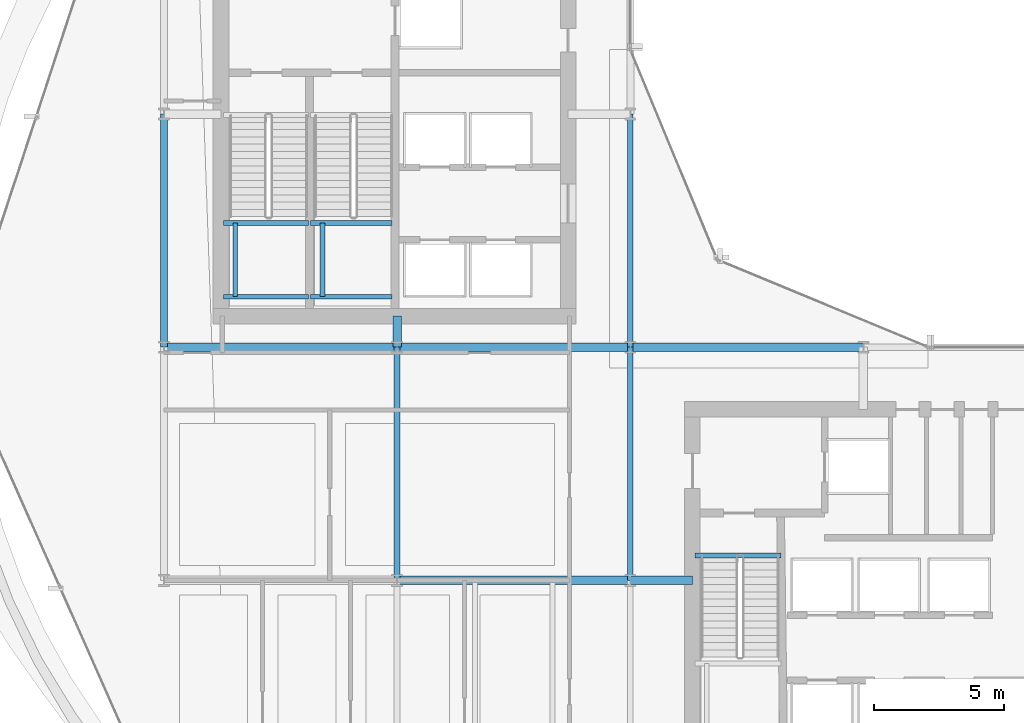
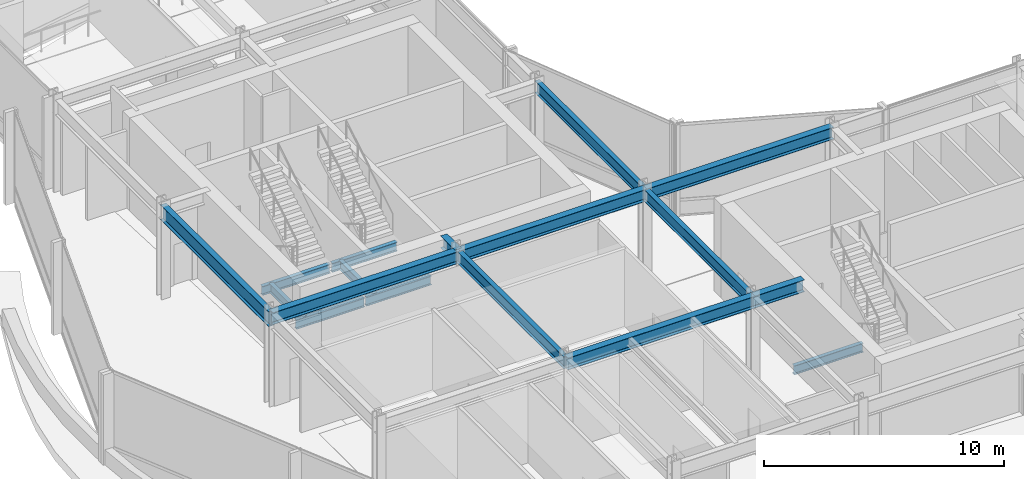
# One storey, part 8 of 33: 17 beams.
"""IFC4 building model written with IfcOpenShell, lengths in metres."""

from ifc_helpers import new_model, si_unit, direction, frame, origin, origin_2d, place, context, subcontext, project, spatial, i_section, extrude, material, material_profile, profile_set, type_object, element, save


model = new_model("IFC4")

# Units and contexts
model_context = context("Model", 3, precision=1e-05, world=origin(), true_north=direction((0.0, 1.0)))
body_context = subcontext(model_context, "Body", "Model", "MODEL_VIEW")
ifc_project = project(units=[si_unit("LENGTHUNIT", "METRE"), si_unit("AREAUNIT", "SQUARE_METRE"), si_unit("VOLUMEUNIT", "CUBIC_METRE"), si_unit("PLANEANGLEUNIT", "RADIAN"), si_unit("MASSUNIT", "GRAM", prefix="KILO")], contexts=[model_context])

# Site, building, storey
site_placement = place(None, origin())
site = spatial("IfcSite", under=ifc_project, at=site_placement, CompositionType="ELEMENT")
building_placement = place(site_placement, origin())
building = spatial("IfcBuilding", under=site, at=building_placement, Name="Solvaryn Broadcast Tower", CompositionType="ELEMENT")
storey_placement = place(building_placement, frame((0.0, 0.0, 105.0)))
storey = spatial("IfcBuildingStorey", under=building, at=storey_placement, Name="L25", CompositionType="ELEMENT", Elevation=105.0)

# Beams
ifc_material_1 = material(Name="Steel ASTM A992 Grade 50", Category="steel")
ifc_material_profile_1 = material_profile(ifc_material_1, i_section(OverallWidth=0.323974609375, OverallDepth=0.611083984375, WebThickness=0.0126953125, FlangeThickness=0.01904296875, FilletRadius=0.014892578125, at=origin_2d()))
ifc_profile_set_1 = profile_set([ifc_material_profile_1], Name="Steel ASTM A992 Grade 50")
beam_type_1 = type_object("IfcBeamType", Name="BM-B1-W24X104", PredefinedType="BEAM", material=ifc_profile_set_1)
for number, where, z_axis, x_axis, name in (
    (1, (18.0, 18.0, 4.41455078125), (1.0, 0.0, 0.0), (0.0, 1.0, 0.0), "L25 Primary Beam X (18-27 @ Y=18)"),
    (2, (9.0, 27.0, 4.41455078125), (1.0, 0.0, 0.0), (0.0, 1.0, 0.0), "L25 Primary Beam X (9-18 @ Y=27)"),
    (3, (18.0, 27.0, 4.41455078125), (1.0, 0.0, 0.0), (0.0, 1.0, 0.0), "L25 Primary Beam X (18-27 @ Y=27)"),
    (4, (27.0, 27.0, 4.41455078125), (1.0, 0.0, 0.0), (0.0, 1.0, 0.0), "L25 Primary Beam X (27-36 @ Y=27)"),
):
    element("IfcBeam", number, at=place(storey_placement, frame(where, z_axis=z_axis, x_axis=x_axis)), inside=storey, type_object=beam_type_1, Name=name, PredefinedType="BEAM", context=body_context, shape_type="SweptSolid", body=[
        extrude(i_section(OverallWidth=0.323974609375, OverallDepth=0.611083984375, WebThickness=0.0126953125, FlangeThickness=0.01904296875, FilletRadius=0.014892578125, at=origin_2d()), origin(), (0.0, 0.0, 1.0), 9.0),
    ])
beam_1_placement = place(storey_placement, frame((18.0, 27.0, 4.41455078125), z_axis=(0.0, 1.0, 0.0), x_axis=(-1.0, 0.0, 0.0)))
element("IfcBeam", 5, at=beam_1_placement, inside=storey, type_object=beam_type_1, Name="L25 Core Tie Beam CTW4", PredefinedType="BEAM", context=body_context, shape_type="SweptSolid", body=[
    extrude(i_section(OverallWidth=0.323974609375, OverallDepth=0.611083984375, WebThickness=0.0126953125, FlangeThickness=0.01904296875, FilletRadius=0.014892578125, at=origin_2d()), origin(), (0.0, 0.0, 1.0), 1.199951171875),
])
beam_2_placement = place(storey_placement, frame((27.0, 18.0, 4.41455078125), z_axis=(1.0, 0.0, 0.0), x_axis=(0.0, 1.0, 0.0)))
element("IfcBeam", 6, at=beam_2_placement, inside=storey, type_object=beam_type_1, Name="L25 Core Tie Beam CTE4", PredefinedType="BEAM", context=body_context, shape_type="SweptSolid", body=[
    extrude(i_section(OverallWidth=0.323974609375, OverallDepth=0.611083984375, WebThickness=0.0126953125, FlangeThickness=0.01904296875, FilletRadius=0.014892578125, at=origin_2d()), origin(), (0.0, 0.0, 1.0), 2.39990234375),
])
ifc_material_2 = material(Name="Steel ASTM A992 Grade 50", Category="steel")
ifc_material_profile_2 = material_profile(ifc_material_2, i_section(OverallWidth=0.22802734375, OverallDepth=0.60791015625, WebThickness=0.01123046875, FlangeThickness=0.017333984375, FilletRadius=0.014892578125, at=origin_2d()))
ifc_profile_set_2 = profile_set([ifc_material_profile_2], Name="Steel ASTM A992 Grade 50")
beam_type_2 = type_object("IfcBeamType", Name="BM-B2-W24X76", PredefinedType="BEAM", material=ifc_profile_set_2)
for number, where, z_axis, x_axis, name in (
    (7, (18.0, 18.0, 4.416015625), (0.0, 1.0, 0.0), (-1.0, 0.0, 0.0), "L25 Primary Beam Y (18-27 @ X=18)"),
    (8, (27.0, 18.0, 4.416015625), (0.0, 1.0, 0.0), (-1.0, 0.0, 0.0), "L25 Primary Beam Y (18-27 @ X=27)"),
    (9, (27.0, 27.0, 4.416015625), (0.0, 1.0, 0.0), (-1.0, 0.0, 0.0), "L25 Primary Beam Y (27-36 @ X=27)"),
):
    element("IfcBeam", number, at=place(storey_placement, frame(where, z_axis=z_axis, x_axis=x_axis)), inside=storey, type_object=beam_type_2, Name=name, PredefinedType="BEAM", context=body_context, shape_type="SweptSolid", body=[
        extrude(i_section(OverallWidth=0.22802734375, OverallDepth=0.60791015625, WebThickness=0.01123046875, FlangeThickness=0.017333984375, FilletRadius=0.014892578125, at=origin_2d()), origin(), (0.0, 0.0, 1.0), 9.0),
    ])
ifc_material_3 = material(Name="Steel ASTM A992 Grade 50", Category="steel")
ifc_material_profile_3 = material_profile(ifc_material_3, i_section(OverallWidth=0.18994140625, OverallDepth=0.45703125, WebThickness=0.009033203125, FlangeThickness=0.014404296875, FilletRadius=0.011962890625, at=origin_2d()))
ifc_profile_set_3 = profile_set([ifc_material_profile_3], Name="Steel ASTM A992 Grade 50")
beam_type_3 = type_object("IfcBeamType", Name="BM-B4-W18X50", PredefinedType="BEAM", material=ifc_profile_set_3)
for number, where, z_axis, x_axis, name in (
    (10, (11.300048828125, 28.949951171875, 2.071533203125), (1.0, 0.0, 0.0), (0.0, 1.0, 0.0), "L25 ST1 Landing Support Beam 1A"),
    (11, (11.300048828125, 31.7900390625, 2.071533203125), (1.0, 0.0, 0.0), (0.0, 1.0, 0.0), "L25 ST1 Landing Support Beam 1B"),
):
    element("IfcBeam", number, at=place(storey_placement, frame(where, z_axis=z_axis, x_axis=x_axis)), inside=storey, type_object=beam_type_3, Name=name, PredefinedType="BEAM", context=body_context, shape_type="SweptSolid", body=[
        extrude(i_section(OverallWidth=0.18994140625, OverallDepth=0.45703125, WebThickness=0.009033203125, FlangeThickness=0.014404296875, FilletRadius=0.011962890625, at=origin_2d()), origin(), (0.0, 0.0, 1.0), 3.280029296875),
    ])
beam_3_placement = place(storey_placement, frame((11.75, 28.949951171875, 2.071533203125), z_axis=(0.0, 1.0, 0.0), x_axis=(-1.0, 0.0, 0.0)))
element("IfcBeam", 12, at=beam_3_placement, inside=storey, type_object=beam_type_3, Name="L25 ST1 Landing Cross Stringer 1C", PredefinedType="BEAM", context=body_context, shape_type="SweptSolid", body=[
    extrude(i_section(OverallWidth=0.18994140625, OverallDepth=0.45703125, WebThickness=0.009033203125, FlangeThickness=0.014404296875, FilletRadius=0.011962890625, at=origin_2d()), origin(), (0.0, 0.0, 1.0), 2.840087890625),
])
for number, where, z_axis, x_axis, name in (
    (13, (14.659912109375, 28.949951171875, 2.071533203125), (1.0, 0.0, 0.0), (0.0, 1.0, 0.0), "L25 ST2 Landing Support Beam 1A"),
    (14, (14.659912109375, 31.7900390625, 2.071533203125), (1.0, 0.0, 0.0), (0.0, 1.0, 0.0), "L25 ST2 Landing Support Beam 1B"),
):
    element("IfcBeam", number, at=place(storey_placement, frame(where, z_axis=z_axis, x_axis=x_axis)), inside=storey, type_object=beam_type_3, Name=name, PredefinedType="BEAM", context=body_context, shape_type="SweptSolid", body=[
        extrude(i_section(OverallWidth=0.18994140625, OverallDepth=0.45703125, WebThickness=0.009033203125, FlangeThickness=0.014404296875, FilletRadius=0.011962890625, at=origin_2d()), origin(), (0.0, 0.0, 1.0), 3.14013671875),
    ])
beam_4_placement = place(storey_placement, frame((15.110107421875, 28.949951171875, 2.071533203125), z_axis=(0.0, 1.0, 0.0), x_axis=(-1.0, 0.0, 0.0)))
element("IfcBeam", 15, at=beam_4_placement, inside=storey, type_object=beam_type_3, Name="L25 ST2 Landing Cross Stringer 1C", PredefinedType="BEAM", context=body_context, shape_type="SweptSolid", body=[
    extrude(i_section(OverallWidth=0.18994140625, OverallDepth=0.45703125, WebThickness=0.009033203125, FlangeThickness=0.014404296875, FilletRadius=0.011962890625, at=origin_2d()), origin(), (0.0, 0.0, 1.0), 2.840087890625),
])
beam_5_placement = place(storey_placement, frame((29.5, 18.9599609375, -0.55859375), z_axis=(1.0, 0.0, 0.0), x_axis=(0.0, 1.0, 0.0)))
element("IfcBeam", 16, at=beam_5_placement, inside=storey, type_object=beam_type_3, Name="L25 ST3 Stair Well Trimmer Beam", PredefinedType="BEAM", context=body_context, shape_type="SweptSolid", body=[
    extrude(i_section(OverallWidth=0.18994140625, OverallDepth=0.45703125, WebThickness=0.009033203125, FlangeThickness=0.014404296875, FilletRadius=0.011962890625, at=origin_2d()), origin(), (0.0, 0.0, 1.0), 3.320068359375),
])
ifc_material_4 = material(Name="Steel ASTM A992 Grade 50", Category="steel")
ifc_material_profile_4 = material_profile(ifc_material_4, i_section(OverallWidth=0.26708984375, OverallDepth=0.76611328125, WebThickness=0.014892578125, FlangeThickness=0.023681640625, FilletRadius=0.01806640625, at=origin_2d()))
ifc_profile_set_4 = profile_set([ifc_material_profile_4], Name="Steel ASTM A992 Grade 50")
beam_type_4 = type_object("IfcBeamType", Name="BM-SP2-W30X124", PredefinedType="USERDEFINED", material=ifc_profile_set_4)
beam_6_placement = place(storey_placement, frame((9.0, 27.0, 4.3369140625), z_axis=(0.0, 1.0, 0.0), x_axis=(-1.0, 0.0, 0.0)))
element("IfcBeam", 17, at=beam_6_placement, inside=storey, type_object=beam_type_4, Name="L25 Spandrel Beam Y (27-36 @ X=9)", ObjectType="SPANDREL", PredefinedType="USERDEFINED", context=body_context, shape_type="SweptSolid", body=[
    extrude(i_section(OverallWidth=0.26708984375, OverallDepth=0.76611328125, WebThickness=0.014892578125, FlangeThickness=0.023681640625, FilletRadius=0.01806640625, at=origin_2d()), origin(), (0.0, 0.0, 1.0), 9.0),
])

save(model, "model.ifc")
